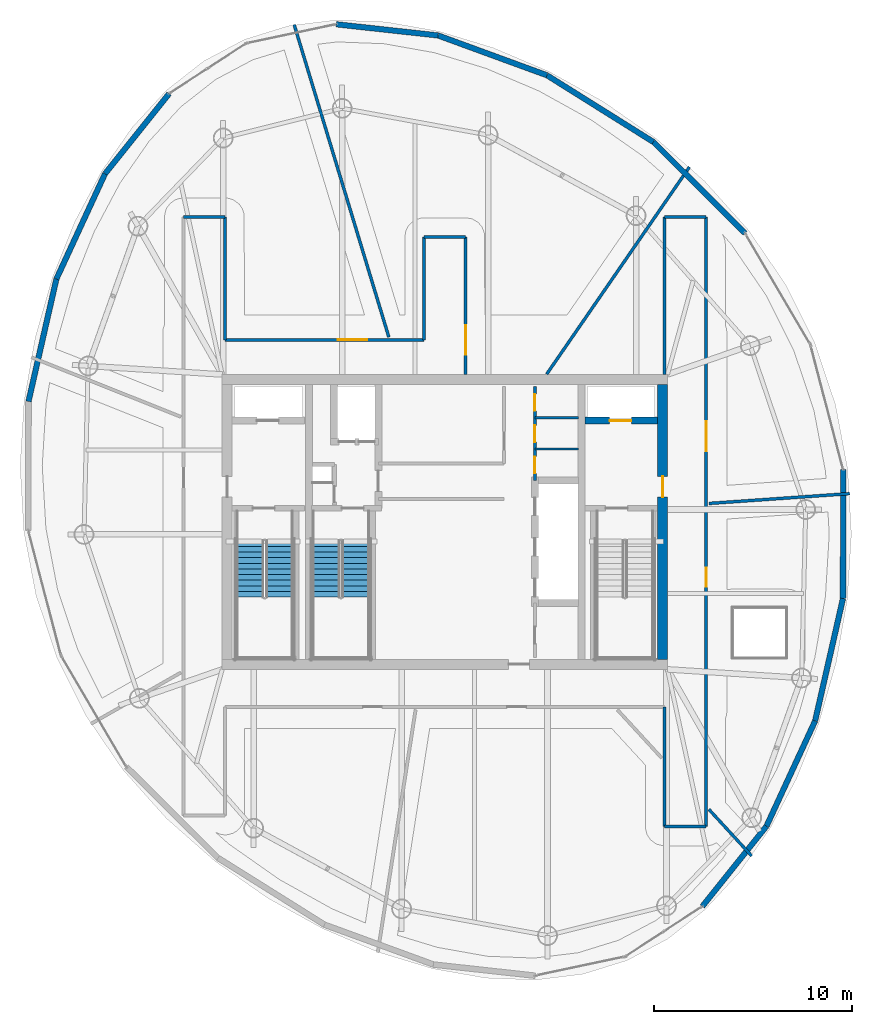
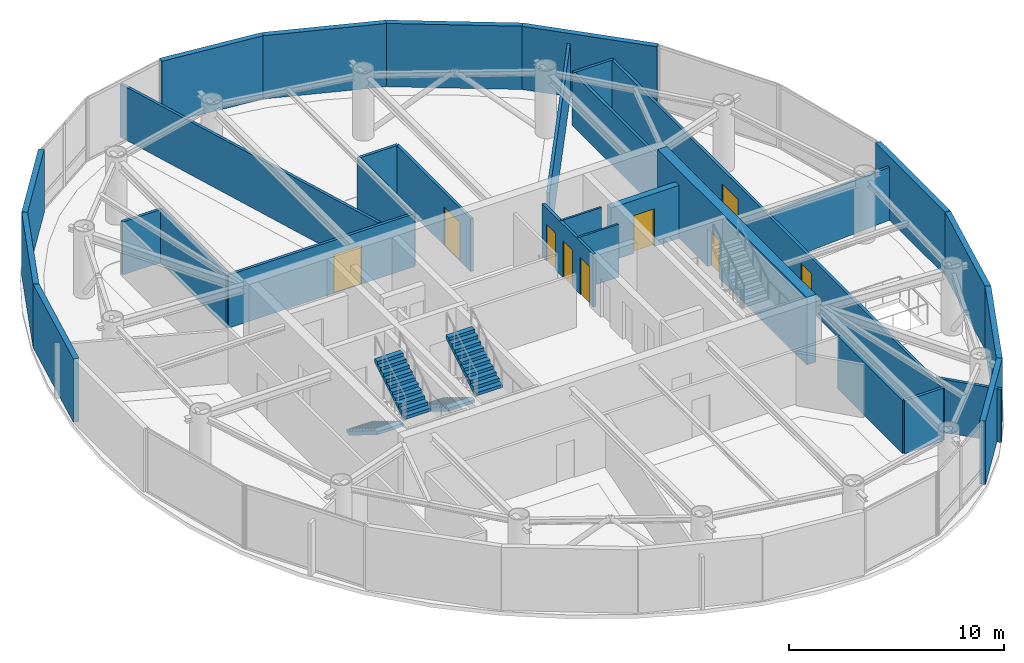
# One storey, part 16 of 20: 31 walls, 9 doors, 4 stair flights, 9 openings, 2 elements without a shape of their own.
"""IFC4 building model written with IfcOpenShell, lengths in metres."""

from ifc_helpers import new_model, si_unit, direction, frame, frame_2d, origin, place, context, subcontext, project, spatial, polyline, rectangle, outline, extrude, material, layer, layer_set, type_object, element, fill, aggregate, save


model = new_model("IFC4")

# Units and contexts
model_context = context("Model", 3, precision=1e-05, world=origin(), true_north=direction((0.0, 1.0)))
body_context = subcontext(model_context, "Body", "Model", "MODEL_VIEW")
ifc_project = project(units=[si_unit("LENGTHUNIT", "METRE"), si_unit("AREAUNIT", "SQUARE_METRE"), si_unit("VOLUMEUNIT", "CUBIC_METRE"), si_unit("PLANEANGLEUNIT", "RADIAN"), si_unit("MASSUNIT", "GRAM", prefix="KILO")], contexts=[model_context])

# Site, building, storey
site_placement = place(None, origin())
site = spatial("IfcSite", under=ifc_project, at=site_placement, CompositionType="ELEMENT")
building_placement = place(site_placement, origin())
building = spatial("IfcBuilding", under=site, at=building_placement, Name="Bramvorn Convention Spire", CompositionType="ELEMENT")
storey_placement = place(building_placement, frame((0.0, 0.0, 303.64990234375)))
storey = spatial("IfcBuildingStorey", under=building, at=storey_placement, Name="L77", CompositionType="ELEMENT", Elevation=303.64990234375)

# Wall, opening, door
ifc_material_1 = material(Name="Concrete C50/60", Category="concrete")
ifc_layer_1 = layer(ifc_material_1, 0.5)
ifc_layer_set_1 = layer_set([ifc_layer_1], Name="Concrete C50/60 - WL-CORE-500")
wall_type_1 = type_object("IfcWallType", Name="WL-CORE-500", PredefinedType="SHEAR", material=ifc_layer_set_1)
wall_1_placement = place(storey_placement, frame((49.0, 19.050048828125, 0.0), z_axis=(0.0, 0.0, 1.0), x_axis=(0.0, 1.0, 0.0)))
wall_1 = element("IfcWall", 1, at=wall_1_placement, inside=storey, type_object=wall_type_1, Name="L77 East RC core shear wall", PredefinedType="SHEAR", context=body_context, shape_type="SweptSolid", body=[
    extrude(rectangle(XDim=13.89990234375, YDim=0.5, at=frame_2d((6.949951171875, 0.0))), origin(), (0.0, 0.0, 1.0), 3.85009765625),
])
opening_1_placement = place(wall_1_placement, frame((8.199951171875, 0.0, 0.0)))
opening_1 = element("IfcOpeningElement", 2, at=opening_1_placement, cuts=wall_1, Name="Opening DL-105", PredefinedType="OPENING", context=body_context, shape_type="SweptSolid", body=[
    extrude(rectangle(XDim=1.050048828125, YDim=2.14990234375, at=frame_2d((0.52490234375, 1.074951171875))), frame((0.0, 0.260009765625, 0.0), z_axis=(0.0, -1.0, 0.0), x_axis=(1.0, 0.0, 0.0)), (0.0, 0.0, 1.0), 0.52001953125),
])
ifc_material_2 = material(Name="Smoke-Sealed Fire Lobby Timber-Core Door", Category="wood")
door_type_1 = type_object("IfcDoorType", Name="DR-LOBBY-1050", OperationType="NOTDEFINED", PredefinedType="DOOR", material=ifc_material_2)
door_1_placement = place(opening_1_placement, origin())
door_1 = element("IfcDoor", 3, at=door_1_placement, inside=storey, type_object=door_type_1, Name="L77 East Firefighting Lobby corridor door", OperationType="SINGLE_SWING_LEFT", OverallHeight=2.14990234375, OverallWidth=1.050048828125, PredefinedType="DOOR", context=body_context, shape_type="SweptSolid", body=[
    extrude(rectangle(XDim=1.050048828125, YDim=2.14990234375, at=frame_2d((0.52490234375, 1.074951171875))), frame((0.0, 0.02490234375, 0.0), z_axis=(0.0, -1.0, 0.0), x_axis=(1.0, 0.0, 0.0)), (0.0, 0.0, 1.0), 0.050048828125),
])
fill(opening_1, door_1)

ifc_layer_2 = layer(ifc_material_1, 0.35009765625)
ifc_layer_set_2 = layer_set([ifc_layer_2], Name="Concrete C50/60 - WL-CORE-INT-350")
wall_type_2 = type_object("IfcWallType", Name="WL-CORE-INT-350", PredefinedType="SHEAR", material=ifc_layer_set_2)
wall_2_placement = place(storey_placement, frame((45.080078125, 31.1201171875, 0.0), z_axis=(0.0, 0.0, 1.0), x_axis=(1.0, 0.0, 0.0)))
wall_2 = element("IfcWall", 4, at=wall_2_placement, inside=storey, type_object=wall_type_2, Name="L77 FE2 shaft front wall", PredefinedType="SHEAR", context=body_context, shape_type="SweptSolid", body=[
    extrude(rectangle(XDim=3.669921875, YDim=0.35009765625, at=frame_2d((1.8349609375, 0.0))), origin(), (0.0, 0.0, 1.0), 3.01513671875),
])
opening_2_placement = place(wall_2_placement, frame((1.25, 0.0, 0.0)))
opening_2 = element("IfcOpeningElement", 5, at=opening_2_placement, cuts=wall_2, Name="Opening LD-110", PredefinedType="OPENING", context=body_context, shape_type="SweptSolid", body=[
    extrude(rectangle(XDim=1.10009765625, YDim=2.14990234375, at=frame_2d((0.550048828125, 1.074951171875))), frame((0.0, 0.18505859375, 0.0), z_axis=(0.0, -1.0, 0.0), x_axis=(1.0, 0.0, 0.0)), (0.0, 0.0, 1.0), 0.3701171875),
])
ifc_material_3 = material(Name="Firefighting & Service Lift Sliding Landing Door", Category="steel")
door_type_2 = type_object("IfcDoorType", Name="DR-LIFT-LD-1100", OperationType="NOTDEFINED", PredefinedType="DOOR", material=ifc_material_3)
door_2_placement = place(opening_2_placement, origin())
door_2 = element("IfcDoor", 6, at=door_2_placement, inside=storey, type_object=door_type_2, Name="L77 Lift FE2 Sliding Landing Door", OperationType="SLIDING_TO_LEFT", OverallHeight=2.14990234375, OverallWidth=1.10009765625, PredefinedType="DOOR", context=body_context, shape_type="SweptSolid", body=[
    extrude(rectangle(XDim=1.10009765625, YDim=2.14990234375, at=frame_2d((0.550048828125, 1.074951171875))), frame((0.0, 0.02490234375, 0.0), z_axis=(0.0, -1.0, 0.0), x_axis=(1.0, 0.0, 0.0)), (0.0, 0.0, 1.0), 0.050048828125),
])
fill(opening_2, door_2)

# Walls
ifc_material_4 = material(Name="Precast Concrete C40/50 with Bronze Terracotta Rainscreen", Category="masonry")
ifc_layer_3 = layer(ifc_material_4, 0.300048828125)
ifc_layer_set_3 = layer_set([ifc_layer_3], Name="Precast Concrete C40/50 with Bronze Terracotta Rainscreen - WL-EXT-BRONZE-300")
wall_type_3 = type_object("IfcWallType", Name="WL-EXT-BRONZE-300", PredefinedType="SOLIDWALL", material=ifc_layer_set_3)
wall_3_placement = place(storey_placement, frame((54.249755859375, 10.622802734375, 0.0), z_axis=(0.0, 0.0, 1.0), x_axis=(-0.624465086055, -0.781052723123, 0.0)))
element("IfcWall", 7, at=wall_3_placement, inside=storey, type_object=wall_type_3, Name="L77 expressed bronze Gothic lancet pier wall 02", PredefinedType="SOLIDWALL", context=body_context, shape_type="SweptSolid", body=[
    extrude(rectangle(XDim=5.179443359375, YDim=0.280029296875, at=frame_2d((2.58984375, 0.0))), origin(), (0.0, 0.0, 1.0), 3.60009765625),
])
wall_4_placement = place(storey_placement, frame((56.70849609375, 15.94189453125, 0.0), z_axis=(0.0, 0.0, 1.0), x_axis=(-0.419589157981, -0.907714128184, 0.0)))
element("IfcWall", 8, at=wall_4_placement, inside=storey, type_object=wall_type_3, Name="L77 expressed bronze Gothic lancet pier wall 03", PredefinedType="SOLIDWALL", context=body_context, shape_type="SweptSolid", body=[
    extrude(rectangle(XDim=5.85986328125, YDim=0.280029296875, at=frame_2d((2.929931640625, 0.0))), origin(), (0.0, 0.0, 1.0), 3.60009765625),
])
wall_5_placement = place(storey_placement, frame((58.1171875, 22.12890625, 0.0), z_axis=(0.0, 0.0, 1.0), x_axis=(-0.222003573724, -0.975045851873, 0.0)))
element("IfcWall", 9, at=wall_5_placement, inside=storey, type_object=wall_type_3, Name="L77 expressed bronze Gothic lancet pier wall 04", PredefinedType="SOLIDWALL", context=body_context, shape_type="SweptSolid", body=[
    extrude(rectangle(XDim=6.345458984375, YDim=0.280029296875, at=frame_2d((3.1728515625, 0.0))), origin(), (0.0, 0.0, 1.0), 3.60009765625),
])
wall_6_placement = place(storey_placement, frame((58.123779296875, 28.655029296875, 0.0), z_axis=(0.0, 0.0, 1.0), x_axis=(-0.001010062707, -0.999999489887, 0.0)))
element("IfcWall", 10, at=wall_6_placement, inside=storey, type_object=wall_type_3, Name="L77 expressed bronze Gothic lancet pier wall 05", PredefinedType="SOLIDWALL", context=body_context, shape_type="SweptSolid", body=[
    extrude(rectangle(XDim=6.526123046875, YDim=0.280029296875, at=frame_2d((3.26318359375, 0.0))), origin(), (0.0, 0.0, 1.0), 3.60009765625),
])
wall_7_placement = place(storey_placement, frame((48.53759765625, 45.198974609375, 0.0), z_axis=(0.0, 0.0, 1.0), x_axis=(0.709049371212, -0.705158839683, 0.0)))
element("IfcWall", 11, at=wall_7_placement, inside=storey, type_object=wall_type_3, Name="L77 expressed bronze Gothic lancet pier wall 08", PredefinedType="SOLIDWALL", context=body_context, shape_type="SweptSolid", body=[
    extrude(rectangle(XDim=6.5263671875, YDim=0.280029296875, at=frame_2d((3.26318359375, 0.0))), origin(), (0.0, 0.0, 1.0), 3.60009765625),
])
wall_8_placement = place(storey_placement, frame((43.160888671875, 48.568115234375, 0.0), z_axis=(0.0, 0.0, 1.0), x_axis=(0.847381664832, -0.530984288003, 0.0)))
element("IfcWall", 12, at=wall_8_placement, inside=storey, type_object=wall_type_3, Name="L77 expressed bronze Gothic lancet pier wall 09", PredefinedType="SOLIDWALL", context=body_context, shape_type="SweptSolid", body=[
    extrude(rectangle(XDim=6.344970703125, YDim=0.280029296875, at=frame_2d((3.17236328125, 0.0))), origin(), (0.0, 0.0, 1.0), 3.60009765625),
])
wall_9_placement = place(storey_placement, frame((37.657470703125, 50.581298828125, 0.0), z_axis=(0.0, 0.0, 1.0), x_axis=(0.939137277683, -0.343542098828, 0.0)))
element("IfcWall", 13, at=wall_9_placement, inside=storey, type_object=wall_type_3, Name="L77 expressed bronze Gothic lancet pier wall 10", PredefinedType="SOLIDWALL", context=body_context, shape_type="SweptSolid", body=[
    extrude(rectangle(XDim=5.860107421875, YDim=0.280029296875, at=frame_2d((2.93017578125, 0.0))), origin(), (0.0, 0.0, 1.0), 3.60009765625),
])
for number, where, z_axis, x_axis, name in (
    (14, (32.50927734375, 51.1455078125, 0.0), (0.0, 0.0, 1.0), (0.994048183695, -0.10894130756, 0.0), "L77 expressed bronze Gothic lancet pier wall 11"),
    (15, (20.829833984375, 43.593994140625, 0.0), (0.0, 0.0, 1.0), (0.624511069141, 0.781015956637, 0.0), "L77 expressed bronze Gothic lancet pier wall 14"),
):
    element("IfcWall", number, at=place(storey_placement, frame(where, z_axis=z_axis, x_axis=x_axis)), inside=storey, type_object=wall_type_3, Name=name, PredefinedType="SOLIDWALL", context=body_context, shape_type="SweptSolid", body=[
        extrude(rectangle(XDim=5.178955078125, YDim=0.280029296875, at=frame_2d((2.58935546875, 0.0))), origin(), (0.0, 0.0, 1.0), 3.60009765625),
    ])
wall_10_placement = place(storey_placement, frame((18.37109375, 38.274658203125, 0.0), z_axis=(0.0, 0.0, 1.0), x_axis=(0.419573290414, 0.907721462769, 0.0)))
element("IfcWall", 16, at=wall_10_placement, inside=storey, type_object=wall_type_3, Name="L77 expressed bronze Gothic lancet pier wall 15", PredefinedType="SOLIDWALL", context=body_context, shape_type="SweptSolid", body=[
    extrude(rectangle(XDim=5.860107421875, YDim=0.280029296875, at=frame_2d((2.93017578125, 0.0))), origin(), (0.0, 0.0, 1.0), 3.60009765625),
])
wall_11_placement = place(storey_placement, frame((16.96240234375, 32.087646484375, 0.0), z_axis=(0.0, 0.0, 1.0), x_axis=(0.222003573724, 0.975045851873, 0.0)))
element("IfcWall", 17, at=wall_11_placement, inside=storey, type_object=wall_type_3, Name="L77 expressed bronze Gothic lancet pier wall 16", PredefinedType="SOLIDWALL", context=body_context, shape_type="SweptSolid", body=[
    extrude(rectangle(XDim=6.345458984375, YDim=0.280029296875, at=frame_2d((3.1728515625, 0.0))), origin(), (0.0, 0.0, 1.0), 3.60009765625),
])
ifc_material_5 = material(Name="Lightweight En-Suite & Wet-Wall Partition", Category="gypsum")
ifc_layer_4 = layer(ifc_material_5, 0.110107421875)
ifc_layer_set_4 = layer_set([ifc_layer_4], Name="Lightweight En-Suite & Wet-Wall Partition - WL-PART-110")
wall_type_4 = type_object("IfcWallType", Name="WL-PART-110", PredefinedType="PARTITIONING", material=ifc_layer_set_4)
for number, where, z_axis, x_axis, name in (
    (18, (42.550048828125, 29.679931640625, 0.0), (0.0, 0.0, 1.0), (1.0, 0.0, 0.0), "L77 KC NE div 1"),
    (19, (42.550048828125, 31.260009765625, 0.0), (0.0, 0.0, 1.0), (1.0, 0.0, 0.0), "L77 KC NE div 2"),
):
    element("IfcWall", number, at=place(storey_placement, frame(where, z_axis=z_axis, x_axis=x_axis)), inside=storey, type_object=wall_type_4, Name=name, PredefinedType="PARTITIONING", context=body_context, shape_type="SweptSolid", body=[
        extrude(rectangle(XDim=2.199951171875, YDim=0.110107421875, at=frame_2d((1.10009765625, 0.0))), origin(), (0.0, 0.0, 1.0), 3.01513671875),
    ])

# Wall, openings, doors
ifc_material_6 = material(Name="Acoustic Metal-Stud Tenant/Corridor Partition", Category="gypsum")
ifc_layer_5 = layer(ifc_material_6, 0.14990234375)
ifc_layer_set_5 = layer_set([ifc_layer_5], Name="Acoustic Metal-Stud Tenant/Corridor Partition - WL-PART-150")
wall_type_5 = type_object("IfcWallType", Name="WL-PART-150", PredefinedType="PARTITIONING", material=ifc_layer_set_5)
wall_12_placement = place(storey_placement, frame((42.550048828125, 28.10009765625, 0.0), z_axis=(0.0, 0.0, 1.0), x_axis=(0.0, 1.0, 0.0)))
wall_12 = element("IfcWall", 20, at=wall_12_placement, inside=storey, type_object=wall_type_5, Name="L77 KC NE wall", PredefinedType="PARTITIONING", context=body_context, shape_type="SweptSolid", body=[
    extrude(rectangle(XDim=4.75, YDim=0.14990234375, at=frame_2d((2.375, 0.0))), origin(), (0.0, 0.0, 1.0), 3.01513671875),
])
opening_3_placement = place(wall_12_placement, frame((0.35009765625, 0.0, 0.0)))
opening_3 = element("IfcOpeningElement", 21, at=opening_3_placement, cuts=wall_12, Name="Opening DC-085", PredefinedType="OPENING", context=body_context, shape_type="SweptSolid", body=[
    extrude(rectangle(XDim=0.85009765625, YDim=2.10009765625, at=frame_2d((0.425048828125, 1.050048828125))), frame((0.0, 0.0849609375, 0.0), z_axis=(0.0, -1.0, 0.0), x_axis=(1.0, 0.0, 0.0)), (0.0, 0.0, 1.0), 0.169921875),
])
opening_4_placement = place(wall_12_placement, frame((1.929931640625, 0.0, 0.0)))
opening_4 = element("IfcOpeningElement", 22, at=opening_4_placement, cuts=wall_12, Name="Opening DC-085", PredefinedType="OPENING", context=body_context, shape_type="SweptSolid", body=[
    extrude(rectangle(XDim=0.85009765625, YDim=2.10009765625, at=frame_2d((0.425048828125, 1.050048828125))), frame((0.0, 0.0849609375, 0.0), z_axis=(0.0, -1.0, 0.0), x_axis=(1.0, 0.0, 0.0)), (0.0, 0.0, 1.0), 0.169921875),
])
opening_5_placement = place(wall_12_placement, frame((3.510009765625, 0.0, 0.0)))
opening_5 = element("IfcOpeningElement", 23, at=opening_5_placement, cuts=wall_12, Name="Opening DC-085", PredefinedType="OPENING", context=body_context, shape_type="SweptSolid", body=[
    extrude(rectangle(XDim=0.85009765625, YDim=2.10009765625, at=frame_2d((0.425048828125, 1.050048828125))), frame((0.0, 0.0849609375, 0.0), z_axis=(0.0, -1.0, 0.0), x_axis=(1.0, 0.0, 0.0)), (0.0, 0.0, 1.0), 0.169921875),
])
ifc_material_7 = material(Name="Fire-Rated Core Washroom & IDF Door", Category="wood")
door_type_3 = type_object("IfcDoorType", Name="DR-CORE-850", OperationType="NOTDEFINED", PredefinedType="DOOR", material=ifc_material_7)
door_3_placement = place(opening_3_placement, origin())
door_3 = element("IfcDoor", 24, at=door_3_placement, inside=storey, type_object=door_type_3, Name="L77 Accessible Core Restroom door", OperationType="SINGLE_SWING_LEFT", OverallHeight=2.10009765625, OverallWidth=0.85009765625, PredefinedType="DOOR", context=body_context, shape_type="SweptSolid", body=[
    extrude(rectangle(XDim=0.85009765625, YDim=2.10009765625, at=frame_2d((0.425048828125, 1.050048828125))), frame((0.0, 0.02490234375, 0.0), z_axis=(0.0, -1.0, 0.0), x_axis=(1.0, 0.0, 0.0)), (0.0, 0.0, 1.0), 0.050048828125),
])
fill(opening_3, door_3)
door_4_placement = place(opening_4_placement, origin())
door_4 = element("IfcDoor", 25, at=door_4_placement, inside=storey, type_object=door_type_3, Name="L77 Tenant Pantry & Copy Centre door", OperationType="SINGLE_SWING_LEFT", OverallHeight=2.10009765625, OverallWidth=0.85009765625, PredefinedType="DOOR", context=body_context, shape_type="SweptSolid", body=[
    extrude(rectangle(XDim=0.85009765625, YDim=2.10009765625, at=frame_2d((0.425048828125, 1.050048828125))), frame((0.0, 0.02490234375, 0.0), z_axis=(0.0, -1.0, 0.0), x_axis=(1.0, 0.0, 0.0)), (0.0, 0.0, 1.0), 0.050048828125),
])
fill(opening_4, door_4)
door_5_placement = place(opening_5_placement, origin())
door_5 = element("IfcDoor", 26, at=door_5_placement, inside=storey, type_object=door_type_3, Name="L77 Core Comms Closet door", OperationType="SINGLE_SWING_LEFT", OverallHeight=2.10009765625, OverallWidth=0.85009765625, PredefinedType="DOOR", context=body_context, shape_type="SweptSolid", body=[
    extrude(rectangle(XDim=0.85009765625, YDim=2.10009765625, at=frame_2d((0.425048828125, 1.050048828125))), frame((0.0, 0.02490234375, 0.0), z_axis=(0.0, -1.0, 0.0), x_axis=(1.0, 0.0, 0.0)), (0.0, 0.0, 1.0), 0.050048828125),
])
fill(opening_5, door_5)

# Wall, opening, door
wall_13_placement = place(storey_placement, frame((26.89990234375, 35.199951171875, 0.0), z_axis=(0.0, 0.0, 1.0), x_axis=(1.0, 0.0, 0.0)))
wall_13 = element("IfcWall", 27, at=wall_13_placement, inside=storey, type_object=wall_type_5, Name="L77 North-west spur link wall", PredefinedType="PARTITIONING", context=body_context, shape_type="SweptSolid", body=[
    extrude(rectangle(XDim=10.050048828125, YDim=0.14990234375, at=frame_2d((5.02490234375, 0.0))), origin(), (0.0, 0.0, 1.0), 3.01513671875),
])
opening_6_placement = place(wall_13_placement, frame((5.679443359375, 0.0, 0.0)))
opening_6 = element("IfcOpeningElement", 28, at=opening_6_placement, cuts=wall_13, Name="Opening DC-150", PredefinedType="OPENING", context=body_context, shape_type="SweptSolid", body=[
    extrude(rectangle(XDim=1.5, YDim=2.199951171875, at=frame_2d((0.75, 1.10009765625))), frame((0.0, 0.0849609375, 0.0), z_axis=(0.0, -1.0, 0.0), x_axis=(1.0, 0.0, 0.0)), (0.0, 0.0, 1.0), 0.169921875),
])
ifc_material_8 = material(Name="Double-Leaf Smoke-Control Corridor Door", Category="wood")
door_type_4 = type_object("IfcDoorType", Name="DR-COR-1500", OperationType="NOTDEFINED", PredefinedType="DOOR", material=ifc_material_8)
door_6_placement = place(opening_6_placement, origin())
door_6 = element("IfcDoor", 29, at=door_6_placement, inside=storey, type_object=door_type_4, Name="L77 Sunset Cocktail Dining Lounge 3 3 door", OperationType="DOUBLE_DOOR_SINGLE_SWING", OverallHeight=2.199951171875, OverallWidth=1.5, PredefinedType="DOOR", context=body_context, shape_type="SweptSolid", body=[
    extrude(rectangle(XDim=1.5, YDim=2.199951171875, at=frame_2d((0.75, 1.10009765625))), frame((0.0, 0.02490234375, 0.0), z_axis=(0.0, -1.0, 0.0), x_axis=(1.0, 0.0, 0.0)), (0.0, 0.0, 1.0), 0.050048828125),
])
fill(opening_6, door_6)

# Walls
wall_14_placement = place(storey_placement, frame((26.89990234375, 35.199951171875, 0.0), z_axis=(0.0, 0.0, 1.0), x_axis=(0.0, 1.0, 0.0)))
element("IfcWall", 30, at=wall_14_placement, inside=storey, type_object=wall_type_5, Name="L77 West gallery NE wall", PredefinedType="PARTITIONING", context=body_context, shape_type="SweptSolid", body=[
    extrude(rectangle(XDim=6.199951171875, YDim=0.14990234375, at=frame_2d((3.10009765625, 0.0))), origin(), (0.0, 0.0, 1.0), 3.01513671875),
])
wall_15_placement = place(storey_placement, frame((24.800048828125, 41.39990234375, 0.0), z_axis=(0.0, 0.0, 1.0), x_axis=(1.0, 0.0, 0.0)))
element("IfcWall", 31, at=wall_15_placement, inside=storey, type_object=wall_type_5, Name="L77 West gallery north end", PredefinedType="PARTITIONING", context=body_context, shape_type="SweptSolid", body=[
    extrude(rectangle(XDim=2.099853515625, YDim=0.14990234375, at=frame_2d((1.0498046875, 0.0))), origin(), (0.0, 0.0, 1.0), 3.01513671875),
])

# Wall, openings, doors
wall_16_placement = place(storey_placement, frame((51.199951171875, 10.60009765625, 0.0), z_axis=(0.0, 0.0, 1.0), x_axis=(0.0, 1.0, 0.0)))
wall_16 = element("IfcWall", 32, at=wall_16_placement, inside=storey, type_object=wall_type_5, Name="L77 East N-S gallery outer wall", PredefinedType="PARTITIONING", context=body_context, shape_type="SweptSolid", body=[
    extrude(rectangle(XDim=30.7998046875, YDim=0.14990234375, at=frame_2d((15.39990234375, 0.0))), origin(), (0.0, 0.0, 1.0), 3.01513671875),
])
opening_7_placement = place(wall_16_placement, frame((18.976318359375, 0.0, 0.0)))
opening_7 = element("IfcOpeningElement", 33, at=opening_7_placement, cuts=wall_16, Name="Opening DC-150", PredefinedType="OPENING", context=body_context, shape_type="SweptSolid", body=[
    extrude(rectangle(XDim=1.5, YDim=2.199951171875, at=frame_2d((0.75, 1.10009765625))), frame((0.0, 0.0849609375, 0.0), z_axis=(0.0, -1.0, 0.0), x_axis=(1.0, 0.0, 0.0)), (0.0, 0.0, 1.0), 0.169921875),
])
opening_8_placement = place(wall_16_placement, frame((12.13525390625, 0.0, 0.0)))
opening_8 = element("IfcOpeningElement", 34, at=opening_8_placement, cuts=wall_16, Name="Opening DH-095", PredefinedType="OPENING", context=body_context, shape_type="SweptSolid", body=[
    extrude(rectangle(XDim=0.949951171875, YDim=2.14990234375, at=frame_2d((0.47509765625, 1.074951171875))), frame((0.0, 0.0849609375, 0.0), z_axis=(0.0, -1.0, 0.0), x_axis=(1.0, 0.0, 0.0)), (0.0, 0.0, 1.0), 0.169921875),
])
door_7_placement = place(opening_7_placement, origin())
door_7 = element("IfcDoor", 35, at=door_7_placement, inside=storey, type_object=door_type_4, Name="L77 Signature Sky Dining Restaurant 1 1 door", OperationType="DOUBLE_DOOR_SINGLE_SWING", OverallHeight=2.199951171875, OverallWidth=1.5, PredefinedType="DOOR", context=body_context, shape_type="SweptSolid", body=[
    extrude(rectangle(XDim=1.5, YDim=2.199951171875, at=frame_2d((0.75, 1.10009765625))), frame((0.0, 0.02490234375, 0.0), z_axis=(0.0, -1.0, 0.0), x_axis=(1.0, 0.0, 0.0)), (0.0, 0.0, 1.0), 0.050048828125),
])
fill(opening_7, door_7)
ifc_material_9 = material(Name="Solid-Core Acoustic Guestroom Entry Door", Category="wood")
door_type_5 = type_object("IfcDoorType", Name="DR-HOTEL-950", OperationType="NOTDEFINED", PredefinedType="DOOR", material=ifc_material_9)
door_8_placement = place(opening_8_placement, origin())
door_8 = element("IfcDoor", 36, at=door_8_placement, inside=storey, type_object=door_type_5, Name="L77 Observatory Private Salon 7 door", OperationType="SINGLE_SWING_LEFT", OverallHeight=2.14990234375, OverallWidth=0.949951171875, PredefinedType="DOOR", context=body_context, shape_type="SweptSolid", body=[
    extrude(rectangle(XDim=0.949951171875, YDim=2.14990234375, at=frame_2d((0.47509765625, 1.074951171875))), frame((0.0, 0.02490234375, 0.0), z_axis=(0.0, -1.0, 0.0), x_axis=(1.0, 0.0, 0.0)), (0.0, 0.0, 1.0), 0.050048828125),
])
fill(opening_8, door_8)

# Walls
wall_17_placement = place(storey_placement, frame((49.10009765625, 10.60009765625, 0.0), z_axis=(0.0, 0.0, 1.0), x_axis=(0.0, 1.0, 0.0)))
element("IfcWall", 37, at=wall_17_placement, inside=storey, type_object=wall_type_5, Name="L77 East gallery SW wall", PredefinedType="PARTITIONING", context=body_context, shape_type="SweptSolid", body=[
    extrude(rectangle(XDim=6.0498046875, YDim=0.14990234375, at=frame_2d((3.02490234375, 0.0))), origin(), (0.0, 0.0, 1.0), 3.01513671875),
])
wall_18_placement = place(storey_placement, frame((49.10009765625, 33.449951171875, 0.0), z_axis=(0.0, 0.0, 1.0), x_axis=(0.0, 1.0, 0.0)))
element("IfcWall", 38, at=wall_18_placement, inside=storey, type_object=wall_type_5, Name="L77 East gallery NW wall", PredefinedType="PARTITIONING", context=body_context, shape_type="SweptSolid", body=[
    extrude(rectangle(XDim=7.949951171875, YDim=0.14990234375, at=frame_2d((3.97509765625, 0.0))), origin(), (0.0, 0.0, 1.0), 3.01513671875),
])
for number, where, z_axis, x_axis, name in (
    (39, (49.10009765625, 10.60009765625, 0.0), (0.0, 0.0, 1.0), (1.0, 0.0, 0.0), "L77 East gallery south end"),
    (40, (49.10009765625, 41.39990234375, 0.0), (0.0, 0.0, 1.0), (1.0, 0.0, 0.0), "L77 East gallery north end"),
):
    element("IfcWall", number, at=place(storey_placement, frame(where, z_axis=z_axis, x_axis=x_axis)), inside=storey, type_object=wall_type_5, Name=name, PredefinedType="PARTITIONING", context=body_context, shape_type="SweptSolid", body=[
        extrude(rectangle(XDim=2.099853515625, YDim=0.14990234375, at=frame_2d((1.0498046875, 0.0))), origin(), (0.0, 0.0, 1.0), 3.01513671875),
    ])
wall_19_placement = place(storey_placement, frame((36.949951171875, 35.199951171875, 0.0), z_axis=(0.0, 0.0, 1.0), x_axis=(0.0, 1.0, 0.0)))
element("IfcWall", 41, at=wall_19_placement, inside=storey, type_object=wall_type_5, Name="L77 North spur west wall", PredefinedType="PARTITIONING", context=body_context, shape_type="SweptSolid", body=[
    extrude(rectangle(XDim=5.199951171875, YDim=0.14990234375, at=frame_2d((2.60009765625, 0.0))), origin(), (0.0, 0.0, 1.0), 3.01513671875),
])

# Wall, opening, door
wall_20_placement = place(storey_placement, frame((39.050048828125, 33.449951171875, 0.0), z_axis=(0.0, 0.0, 1.0), x_axis=(0.0, 1.0, 0.0)))
wall_20 = element("IfcWall", 42, at=wall_20_placement, inside=storey, type_object=wall_type_5, Name="L77 North spur east wall", PredefinedType="PARTITIONING", context=body_context, shape_type="SweptSolid", body=[
    extrude(rectangle(XDim=6.949951171875, YDim=0.14990234375, at=frame_2d((3.47509765625, 0.0))), origin(), (0.0, 0.0, 1.0), 3.01513671875),
])
opening_9_placement = place(wall_20_placement, frame((0.987548828125, 0.0, 0.0)))
opening_9 = element("IfcOpeningElement", 43, at=opening_9_placement, cuts=wall_20, Name="Opening DC-150", PredefinedType="OPENING", context=body_context, shape_type="SweptSolid", body=[
    extrude(rectangle(XDim=1.5, YDim=2.199951171875, at=frame_2d((0.75, 1.10009765625))), frame((0.0, 0.0849609375, 0.0), z_axis=(0.0, -1.0, 0.0), x_axis=(1.0, 0.0, 0.0)), (0.0, 0.0, 1.0), 0.169921875),
])
door_9_placement = place(opening_9_placement, origin())
door_9 = element("IfcDoor", 44, at=door_9_placement, inside=storey, type_object=door_type_4, Name="L77 Private Champagne Dining Salon 2 2 door", OperationType="DOUBLE_DOOR_SINGLE_SWING", OverallHeight=2.199951171875, OverallWidth=1.5, PredefinedType="DOOR", context=body_context, shape_type="SweptSolid", body=[
    extrude(rectangle(XDim=1.5, YDim=2.199951171875, at=frame_2d((0.75, 1.10009765625))), frame((0.0, 0.02490234375, 0.0), z_axis=(0.0, -1.0, 0.0), x_axis=(1.0, 0.0, 0.0)), (0.0, 0.0, 1.0), 0.050048828125),
])
fill(opening_9, door_9)

# Walls
wall_21_placement = place(storey_placement, frame((36.949951171875, 40.39990234375, 0.0), z_axis=(0.0, 0.0, 1.0), x_axis=(1.0, 0.0, 0.0)))
element("IfcWall", 45, at=wall_21_placement, inside=storey, type_object=wall_type_5, Name="L77 North spur end wall", PredefinedType="PARTITIONING", context=body_context, shape_type="SweptSolid", body=[
    extrude(rectangle(XDim=2.10009765625, YDim=0.14990234375, at=frame_2d((1.050048828125, 0.0))), origin(), (0.0, 0.0, 1.0), 3.01513671875),
])
wall_22_placement = place(storey_placement, frame((51.340087890625, 26.932861328125, 0.0), z_axis=(0.0, 0.0, 1.0), x_axis=(0.997564872664, 0.069744711815, 0.0)))
element("IfcWall", 46, at=wall_22_placement, inside=storey, type_object=wall_type_5, Name="L77 Tenant suite partition 1", PredefinedType="PARTITIONING", context=body_context, shape_type="SweptSolid", body=[
    extrude(rectangle(XDim=7.137451171875, YDim=0.14990234375, at=frame_2d((3.56884765625, 0.0))), origin(), (0.0, 0.0, 1.0), 3.01513671875),
])
wall_23_placement = place(storey_placement, frame((43.147705078125, 33.469970703125, 0.0), z_axis=(0.0, 0.0, 1.0), x_axis=(0.567425051225, 0.823425048952, 0.0)))
element("IfcWall", 47, at=wall_23_placement, inside=storey, type_object=wall_type_5, Name="L77 Tenant suite partition 2", PredefinedType="PARTITIONING", context=body_context, shape_type="SweptSolid", body=[
    extrude(rectangle(XDim=12.71240234375, YDim=0.14990234375, at=frame_2d((6.356201171875, 0.0))), origin(), (0.0, 0.0, 1.0), 3.01513671875),
])
wall_24_placement = place(storey_placement, frame((35.169921875, 35.340087890625, 0.0), z_axis=(0.0, 0.0, 1.0), x_axis=(-0.289986456141, 0.957030749378, 0.0)))
element("IfcWall", 48, at=wall_24_placement, inside=storey, type_object=wall_type_5, Name="L77 Tenant suite partition 3", PredefinedType="PARTITIONING", context=body_context, shape_type="SweptSolid", body=[
    extrude(rectangle(XDim=16.50390625, YDim=0.14990234375, at=frame_2d((8.251953125, 0.0))), origin(), (0.0, 0.0, 1.0), 3.01513671875),
])
wall_25_placement = place(storey_placement, frame((51.340087890625, 11.478271484375, 0.0), z_axis=(0.0, 0.0, 1.0), x_axis=(0.676515680842, -0.736428227036, 0.0)))
element("IfcWall", 49, at=wall_25_placement, inside=storey, type_object=wall_type_5, Name="L77 Tenant suite partition 7", PredefinedType="PARTITIONING", context=body_context, shape_type="SweptSolid", body=[
    extrude(rectangle(XDim=3.19873046875, YDim=0.14990234375, at=frame_2d((1.599365234375, 0.0))), origin(), (0.0, 0.0, 1.0), 3.01513671875),
])

# Stair, stair flights
ifc_material_10 = material(Name="Concrete C40/50 Precast Stair", Category="concrete")
stair_type = type_object("IfcStairType", Name="ST-TOWER-1550", PredefinedType="HALF_TURN_STAIR", material=ifc_material_10)
stair_1_placement = place(storey_placement, origin())
stair_1 = element("IfcStair", 50, at=stair_1_placement, inside=storey, type_object=stair_type, Name="L77 Protected Exit Stair ST1", PredefinedType="HALF_TURN_STAIR")
ifc_material_11 = material(Name="Concrete C40/50 Precast Stair Flight", Category="concrete")
stair_flight_type = type_object("IfcStairFlightType", Name="STF-TOWER-1550", PredefinedType="STRAIGHT", material=ifc_material_11)
stair_flight_1_placement = place(storey_placement, frame((28.155029296875, 25.050048828125, 0.0), z_axis=(0.0, 0.0, 1.0), x_axis=(0.0, -1.0, 0.0)))
stair_flight_1 = element("IfcStairFlight", 51, at=stair_flight_1_placement, type_object=stair_flight_type, Name="ST1 flight 1", NumberOfRisers=11, NumberOfTreads=10, PredefinedType="STRAIGHT", RiserHeight=0.175, TreadLength=0.285, context=body_context, shape_type="SweptSolid", body=[
    extrude(outline(polyline([(0.0, 0.0), (0.0, 0.175048828125), (0.284912109375, 0.175048828125), (0.284912109375, 0.35009765625), (0.570068359375, 0.35009765625), (0.570068359375, 0.52490234375), (0.85498046875, 0.52490234375), (0.85498046875, 0.699951171875), (1.139892578125, 0.699951171875), (1.139892578125, 0.875), (1.425048828125, 0.875), (1.425048828125, 1.050048828125), (1.7099609375, 1.050048828125), (1.7099609375, 1.22509765625), (1.9951171875, 1.22509765625), (1.9951171875, 1.39990234375), (2.280029296875, 1.39990234375), (2.280029296875, 1.574951171875), (2.56494140625, 1.574951171875), (2.56494140625, 1.75), (2.85009765625, 1.75), (2.85009765625, 1.925048828125), (2.85009765625, 1.573974609375), (0.286376953125, 0.0), (0.0, 0.0)])), frame((0.0, 0.705078125, 0.0), z_axis=(0.0, -1.0, 0.0), x_axis=(1.0, 0.0, 0.0)), (0.0, 0.0, 1.0), 1.409912109375),
])
stair_flight_2_placement = place(storey_placement, frame((29.64501953125, 22.199951171875, 1.925048828125), z_axis=(0.0, 0.0, 1.0), x_axis=(0.0, 1.0, 0.0)))
stair_flight_2 = element("IfcStairFlight", 52, at=stair_flight_2_placement, type_object=stair_flight_type, Name="ST1 flight 2", NumberOfRisers=11, NumberOfTreads=10, PredefinedType="STRAIGHT", RiserHeight=0.175, TreadLength=0.285, context=body_context, shape_type="SweptSolid", body=[
    extrude(outline(polyline([(0.0, 0.0), (0.0, 0.175048828125), (0.284912109375, 0.175048828125), (0.284912109375, 0.35009765625), (0.570068359375, 0.35009765625), (0.570068359375, 0.52490234375), (0.85498046875, 0.52490234375), (0.85498046875, 0.699951171875), (1.139892578125, 0.699951171875), (1.139892578125, 0.875), (1.425048828125, 0.875), (1.425048828125, 1.050048828125), (1.7099609375, 1.050048828125), (1.7099609375, 1.22509765625), (1.9951171875, 1.22509765625), (1.9951171875, 1.39990234375), (2.280029296875, 1.39990234375), (2.280029296875, 1.574951171875), (2.56494140625, 1.574951171875), (2.56494140625, 1.75), (2.85009765625, 1.75), (2.85009765625, 1.925048828125), (2.85009765625, 1.573974609375), (0.286376953125, 0.0), (0.0, 0.0)])), frame((0.0, 0.705078125, 0.0), z_axis=(0.0, -1.0, 0.0), x_axis=(1.0, 0.0, 0.0)), (0.0, 0.0, 1.0), 1.409912109375),
])
aggregate(stair_1, [stair_flight_1, stair_flight_2])

stair_2_placement = place(storey_placement, origin())
stair_2 = element("IfcStair", 53, at=stair_2_placement, inside=storey, type_object=stair_type, Name="L77 Protected Exit Stair ST3", PredefinedType="HALF_TURN_STAIR")
stair_flight_3_placement = place(storey_placement, frame((32.0048828125, 25.050048828125, 0.0), z_axis=(0.0, 0.0, 1.0), x_axis=(0.0, -1.0, 0.0)))
stair_flight_3 = element("IfcStairFlight", 54, at=stair_flight_3_placement, type_object=stair_flight_type, Name="ST3 flight 1", NumberOfRisers=11, NumberOfTreads=10, PredefinedType="STRAIGHT", RiserHeight=0.175, TreadLength=0.285, context=body_context, shape_type="SweptSolid", body=[
    extrude(outline(polyline([(0.0, 0.0), (0.0, 0.175048828125), (0.284912109375, 0.175048828125), (0.284912109375, 0.35009765625), (0.570068359375, 0.35009765625), (0.570068359375, 0.52490234375), (0.85498046875, 0.52490234375), (0.85498046875, 0.699951171875), (1.139892578125, 0.699951171875), (1.139892578125, 0.875), (1.425048828125, 0.875), (1.425048828125, 1.050048828125), (1.7099609375, 1.050048828125), (1.7099609375, 1.22509765625), (1.9951171875, 1.22509765625), (1.9951171875, 1.39990234375), (2.280029296875, 1.39990234375), (2.280029296875, 1.574951171875), (2.56494140625, 1.574951171875), (2.56494140625, 1.75), (2.85009765625, 1.75), (2.85009765625, 1.925048828125), (2.85009765625, 1.573974609375), (0.286376953125, 0.0), (0.0, 0.0)])), frame((0.0, 0.705078125, 0.0), z_axis=(0.0, -1.0, 0.0), x_axis=(1.0, 0.0, 0.0)), (0.0, 0.0, 1.0), 1.409912109375),
])
stair_flight_4_placement = place(storey_placement, frame((33.4951171875, 22.199951171875, 1.925048828125), z_axis=(0.0, 0.0, 1.0), x_axis=(0.0, 1.0, 0.0)))
stair_flight_4 = element("IfcStairFlight", 55, at=stair_flight_4_placement, type_object=stair_flight_type, Name="ST3 flight 2", NumberOfRisers=11, NumberOfTreads=10, PredefinedType="STRAIGHT", RiserHeight=0.175, TreadLength=0.285, context=body_context, shape_type="SweptSolid", body=[
    extrude(outline(polyline([(0.0, 0.0), (0.0, 0.175048828125), (0.284912109375, 0.175048828125), (0.284912109375, 0.35009765625), (0.570068359375, 0.35009765625), (0.570068359375, 0.52490234375), (0.85498046875, 0.52490234375), (0.85498046875, 0.699951171875), (1.139892578125, 0.699951171875), (1.139892578125, 0.875), (1.425048828125, 0.875), (1.425048828125, 1.050048828125), (1.7099609375, 1.050048828125), (1.7099609375, 1.22509765625), (1.9951171875, 1.22509765625), (1.9951171875, 1.39990234375), (2.280029296875, 1.39990234375), (2.280029296875, 1.574951171875), (2.56494140625, 1.574951171875), (2.56494140625, 1.75), (2.85009765625, 1.75), (2.85009765625, 1.925048828125), (2.85009765625, 1.573974609375), (0.286376953125, 0.0), (0.0, 0.0)])), frame((0.0, 0.705078125, 0.0), z_axis=(0.0, -1.0, 0.0), x_axis=(1.0, 0.0, 0.0)), (0.0, 0.0, 1.0), 1.409912109375),
])
aggregate(stair_2, [stair_flight_3, stair_flight_4])

save(model, "model.ifc")
